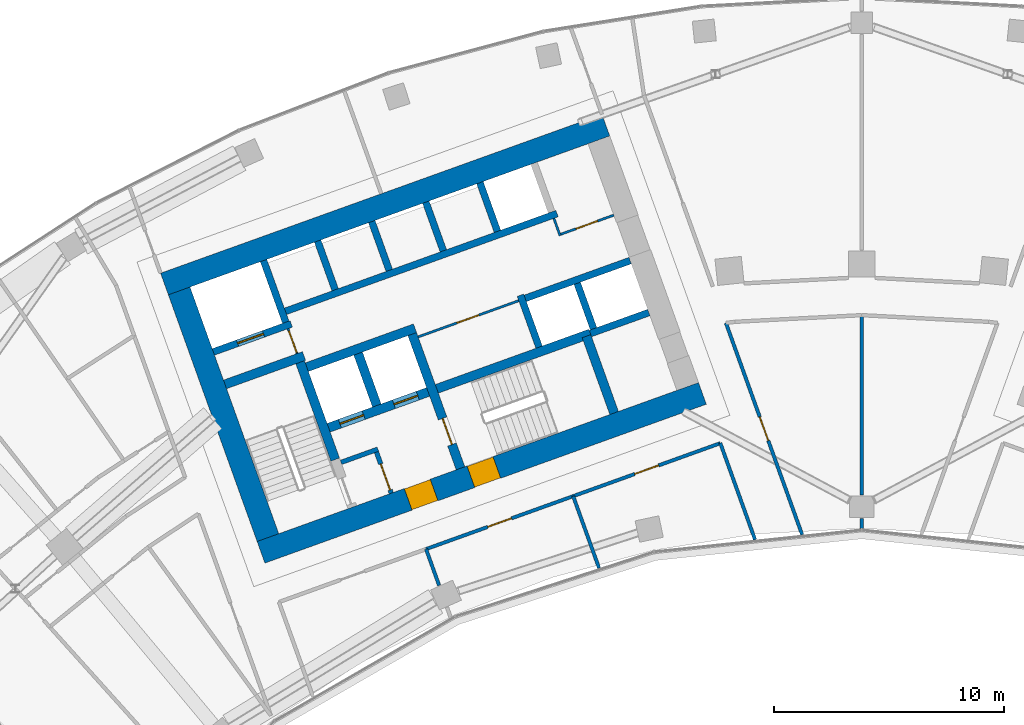
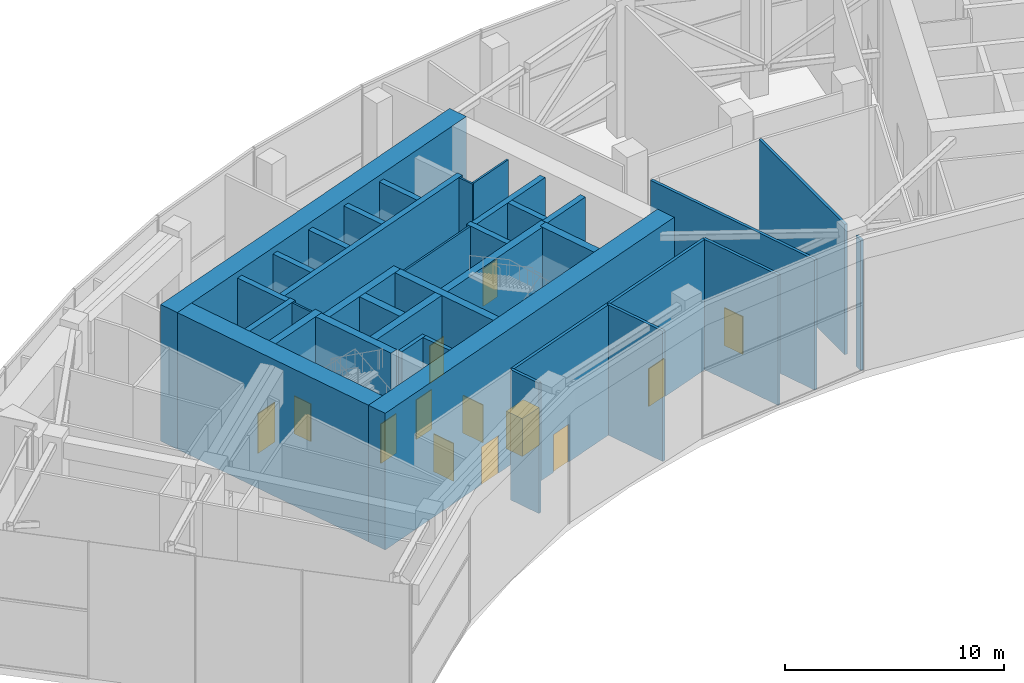
# One storey, part 20 of 26: 35 walls, 13 doors, 13 openings.
"""IFC4 building model written with IfcOpenShell, lengths in metres."""

from ifc_helpers import new_model, si_unit, direction, frame, frame_2d, origin, place, context, subcontext, project, spatial, rectangle, extrude, material, layer, layer_set, type_object, element, fill, save


model = new_model("IFC4")

# Units and contexts
model_context = context("Model", 3, precision=1e-05, world=origin(), true_north=direction((0.0, 1.0)))
body_context = subcontext(model_context, "Body", "Model", "MODEL_VIEW")
ifc_project = project(units=[si_unit("LENGTHUNIT", "METRE"), si_unit("AREAUNIT", "SQUARE_METRE"), si_unit("VOLUMEUNIT", "CUBIC_METRE"), si_unit("PLANEANGLEUNIT", "RADIAN"), si_unit("MASSUNIT", "GRAM", prefix="KILO")], contexts=[model_context])

# Site, building, storey
site_placement = place(None, origin())
site = spatial("IfcSite", under=ifc_project, at=site_placement, CompositionType="ELEMENT")
building_placement = place(site_placement, origin())
building = spatial("IfcBuilding", under=site, at=building_placement, Name="Stone Belt Terrace Tower", CompositionType="ELEMENT")
storey_placement = place(building_placement, frame((0.0, 0.0, 250.39990234375)))
storey = spatial("IfcBuildingStorey", under=building, at=storey_placement, Name="L61", CompositionType="ELEMENT", Elevation=250.39990234375)

# Wall, opening, door
ifc_material_1 = material(Name="Plasterboard partition")
ifc_layer_1 = layer(ifc_material_1, 0.10009765625)
ifc_layer_set_1 = layer_set([ifc_layer_1], Name="Core partition 100")
wall_type_1 = type_object("IfcWallType", Name="Core partition 100", PredefinedType="PARTITIONING", material=ifc_layer_set_1)
wall_1_placement = place(storey_placement, frame((-24.555908203125, 51.10400390625, 0.0), z_axis=(0.0, 0.0, 1.0), x_axis=(-0.338621735342, 0.94092258999, 0.0)))
wall_1 = element("IfcWall", 1, at=wall_1_placement, inside=storey, type_object=wall_type_1, Name="Core A wall", PredefinedType="PARTITIONING", context=body_context, shape_type="SweptSolid", body=[
    extrude(rectangle(XDim=1.14990234375, YDim=0.10009765625, at=frame_2d((0.574951171875, 0.0))), origin(), (0.0, 0.0, 1.0), 7.25),
])
opening_1_placement = place(wall_1_placement, frame((0.050048828125, 0.0, 0.0)))
opening_1 = element("IfcOpeningElement", 2, at=opening_1_placement, cuts=wall_1, Name="Opening L61-C03", PredefinedType="OPENING", context=body_context, shape_type="SweptSolid", body=[
    extrude(rectangle(XDim=1.0, YDim=2.10009765625, at=frame_2d((0.5, 1.050048828125))), frame((0.0, 0.06005859375, 0.0), z_axis=(0.0, -1.0, 0.0), x_axis=(1.0, 0.0, 0.0)), (0.0, 0.0, 1.0), 0.1201171875),
])
ifc_material_2 = material(Name="Timber door leaf", Category="wood")
door_type_1 = type_object("IfcDoorType", Name="Core room door 1000", OperationType="SINGLE_SWING_LEFT", PredefinedType="DOOR", material=ifc_material_2)
door_1_placement = place(opening_1_placement, origin())
door_1 = element("IfcDoor", 3, at=door_1_placement, inside=storey, type_object=door_type_1, Name="Service lift lobby door core A", OperationType="SINGLE_SWING_RIGHT", OverallHeight=2.10009765625, OverallWidth=1.0, PredefinedType="DOOR", context=body_context, shape_type="SweptSolid", body=[
    extrude(rectangle(XDim=1.0, YDim=2.10009765625, at=frame_2d((0.5, 1.050048828125))), frame((0.0, 0.02490234375, 0.0), z_axis=(0.0, -1.0, 0.0), x_axis=(1.0, 0.0, 0.0)), (0.0, 0.0, 1.0), 0.050048828125),
])
fill(opening_1, door_1)

wall_2_placement = place(storey_placement, frame((-19.29052734375, 51.829833984375, 0.0), z_axis=(0.0, 0.0, 1.0), x_axis=(0.940930240745, 0.338600475563, 0.0)))
wall_2 = element("IfcWall", 4, at=wall_2_placement, inside=storey, type_object=wall_type_1, Name="Core A wall", PredefinedType="PARTITIONING", context=body_context, shape_type="SweptSolid", body=[
    extrude(rectangle(XDim=4.64990234375, YDim=0.10009765625, at=frame_2d((2.324951171875, 0.0))), origin(), (0.0, 0.0, 1.0), 7.25),
])
opening_2_placement = place(wall_2_placement, frame((1.800048828125, 0.0, 0.0)))
opening_2 = element("IfcOpeningElement", 5, at=opening_2_placement, cuts=wall_2, Name="Opening L61-C02", PredefinedType="OPENING", context=body_context, shape_type="SweptSolid", body=[
    extrude(rectangle(XDim=1.0, YDim=2.10009765625, at=frame_2d((0.5, 1.050048828125))), frame((0.0, 0.06005859375, 0.0), z_axis=(0.0, -1.0, 0.0), x_axis=(1.0, 0.0, 0.0)), (0.0, 0.0, 1.0), 0.1201171875),
])
door_2_placement = place(opening_2_placement, origin())
door_2 = element("IfcDoor", 6, at=door_2_placement, inside=storey, type_object=door_type_1, Name="Door to Print and copy room core A", OperationType="SINGLE_SWING_RIGHT", OverallHeight=2.10009765625, OverallWidth=1.0, PredefinedType="DOOR", context=body_context, shape_type="SweptSolid", body=[
    extrude(rectangle(XDim=1.0, YDim=2.10009765625, at=frame_2d((0.5, 1.050048828125))), frame((0.0, 0.02490234375, 0.0), z_axis=(0.0, -1.0, 0.0), x_axis=(1.0, 0.0, 0.0)), (0.0, 0.0, 1.0), 0.050048828125),
])
fill(opening_2, door_2)

# Wall
wall_3_placement = place(storey_placement, frame((-13.115966796875, 56.230712890625, 0.0), z_axis=(0.0, 0.0, 1.0), x_axis=(-0.338481684961, 0.940972979923, 0.0)))
element("IfcWall", 7, at=wall_3_placement, inside=storey, type_object=wall_type_1, Name="Core A wall", PredefinedType="PARTITIONING", context=body_context, shape_type="SweptSolid", body=[
    extrude(rectangle(XDim=0.7998046875, YDim=0.10009765625, at=frame_2d((0.39990234375, 0.0))), origin(), (0.0, 0.0, 1.0), 7.25),
])

# Wall, opening, door
wall_4_placement = place(storey_placement, frame((-13.085693359375, 56.294677734375, 0.0), z_axis=(0.0, 0.0, 1.0), x_axis=(0.940922976849, 0.338620660383, 0.0)))
wall_4 = element("IfcWall", 8, at=wall_4_placement, inside=storey, type_object=wall_type_1, Name="Core A wall", PredefinedType="PARTITIONING", context=body_context, shape_type="SweptSolid", body=[
    extrude(rectangle(XDim=2.449951171875, YDim=0.10009765625, at=frame_2d((1.22509765625, 0.0))), origin(), (0.0, 0.0, 1.0), 7.25),
])
opening_3_placement = place(wall_4_placement, frame((0.699951171875, 0.0, 0.0)))
opening_3 = element("IfcOpeningElement", 9, at=opening_3_placement, cuts=wall_4, Name="Opening L61-C01", PredefinedType="OPENING", context=body_context, shape_type="SweptSolid", body=[
    extrude(rectangle(XDim=1.0, YDim=2.10009765625, at=frame_2d((0.5, 1.050048828125))), frame((0.0, 0.06005859375, 0.0), z_axis=(0.0, -1.0, 0.0), x_axis=(1.0, 0.0, 0.0)), (0.0, 0.0, 1.0), 0.1201171875),
])
door_3_placement = place(opening_3_placement, origin())
door_3 = element("IfcDoor", 10, at=door_3_placement, inside=storey, type_object=door_type_1, Name="Door to Communications hub room core A", OperationType="SINGLE_SWING_RIGHT", OverallHeight=2.10009765625, OverallWidth=1.0, PredefinedType="DOOR", context=body_context, shape_type="SweptSolid", body=[
    extrude(rectangle(XDim=1.0, YDim=2.10009765625, at=frame_2d((0.5, 1.050048828125))), frame((0.0, 0.02490234375, 0.0), z_axis=(0.0, -1.0, 0.0), x_axis=(1.0, 0.0, 0.0)), (0.0, 0.0, 1.0), 0.050048828125),
])
fill(opening_3, door_3)

# Wall, openings, doors
ifc_material_3 = material(Name="Concrete B60", Category="concrete")
ifc_layer_2 = layer(ifc_material_3, 1.0)
ifc_layer_set_2 = layer_set([ifc_layer_2], Name="Core wall 1000 B60")
wall_type_2 = type_object("IfcWallType", Name="Core wall 1000 B60", PredefinedType="SHEAR", material=ifc_layer_set_2)
wall_5_placement = place(storey_placement, frame((-26.122314453125, 42.462890625, 0.0), z_axis=(0.0, 0.0, 1.0), x_axis=(0.940921428504, 0.338624962727, 0.0)))
wall_5 = element("IfcWall", 11, at=wall_5_placement, inside=storey, type_object=wall_type_2, Name="Core A wall concave L61", PredefinedType="SHEAR", context=body_context, shape_type="SweptSolid", body=[
    extrude(rectangle(XDim=20.400146484375, YDim=1.0, at=frame_2d((10.2001953125, 0.0))), origin(), (0.0, 0.0, 1.0), 7.60009765625),
])
opening_4_placement = place(wall_5_placement, frame((6.800048828125, 0.0, 0.0)))
opening_4 = element("IfcOpeningElement", 12, at=opening_4_placement, cuts=wall_5, Name="Opening L61-C07", PredefinedType="OPENING", context=body_context, shape_type="SweptSolid", body=[
    extrude(rectangle(XDim=1.199951171875, YDim=2.10009765625, at=frame_2d((0.60009765625, 1.050048828125))), frame((0.0, 0.510009765625, 0.0), z_axis=(0.0, -1.0, 0.0), x_axis=(1.0, 0.0, 0.0)), (0.0, 0.0, 1.0), 1.02001953125),
])
opening_5_placement = place(wall_5_placement, frame((9.699951171875, 0.0, 0.0)))
opening_5 = element("IfcOpeningElement", 13, at=opening_5_placement, cuts=wall_5, Name="Opening L61-C09", PredefinedType="OPENING", context=body_context, shape_type="SweptSolid", body=[
    extrude(rectangle(XDim=1.199951171875, YDim=2.10009765625, at=frame_2d((0.60009765625, 1.050048828125))), frame((0.0, 0.510009765625, 0.0), z_axis=(0.0, -1.0, 0.0), x_axis=(1.0, 0.0, 0.0)), (0.0, 0.0, 1.0), 1.02001953125),
])
ifc_material_4 = material(Name="Steel door leaf", Category="steel")
door_type_2 = type_object("IfcDoorType", Name="Fire-fighting lobby door 1200", OperationType="SINGLE_SWING_LEFT", PredefinedType="DOOR", material=ifc_material_4)
door_4_placement = place(opening_4_placement, origin())
door_4 = element("IfcDoor", 14, at=door_4_placement, inside=storey, type_object=door_type_2, Name="Fire-fighting lobby door core A", OperationType="SINGLE_SWING_RIGHT", OverallHeight=2.10009765625, OverallWidth=1.199951171875, PredefinedType="DOOR", context=body_context, shape_type="SweptSolid", body=[
    extrude(rectangle(XDim=1.199951171875, YDim=2.10009765625, at=frame_2d((0.60009765625, 1.050048828125))), frame((0.0, 0.47998046875, 0.0), z_axis=(0.0, -1.0, 0.0), x_axis=(1.0, 0.0, 0.0)), (0.0, 0.0, 1.0), 0.9599609375),
])
fill(opening_4, door_4)
door_type_3 = type_object("IfcDoorType", Name="Stair door 1200", OperationType="SINGLE_SWING_LEFT", PredefinedType="DOOR", material=ifc_material_4)
door_5_placement = place(opening_5_placement, origin())
door_5 = element("IfcDoor", 15, at=door_5_placement, inside=storey, type_object=door_type_3, Name="Stair 2 exit door core A", OperationType="SINGLE_SWING_LEFT", OverallHeight=2.10009765625, OverallWidth=1.199951171875, PredefinedType="DOOR", context=body_context, shape_type="SweptSolid", body=[
    extrude(rectangle(XDim=1.199951171875, YDim=2.10009765625, at=frame_2d((0.60009765625, 1.050048828125))), frame((0.0, 0.47998046875, 0.0), z_axis=(0.0, -1.0, 0.0), x_axis=(1.0, 0.0, 0.0)), (0.0, 0.0, 1.0), 0.9599609375),
])
fill(opening_5, door_5)

# Walls
wall_6_placement = place(storey_placement, frame((-30.3212890625, 54.13037109375, 0.0), z_axis=(0.0, 0.0, 1.0), x_axis=(0.940921428504, 0.338624962727, 0.0)))
element("IfcWall", 16, at=wall_6_placement, inside=storey, type_object=wall_type_2, Name="Core A wall convex L61", PredefinedType="SHEAR", context=body_context, shape_type="SweptSolid", body=[
    extrude(rectangle(XDim=20.400146484375, YDim=1.0, at=frame_2d((10.2001953125, 0.0))), origin(), (0.0, 0.0, 1.0), 7.60009765625),
])
wall_7_placement = place(storey_placement, frame((-25.821044921875, 43.102783203125, 0.0), z_axis=(0.0, 0.0, 1.0), x_axis=(-0.338625431531, 0.940921259788, 0.0)))
element("IfcWall", 17, at=wall_7_placement, inside=storey, type_object=wall_type_2, Name="Core A wall end_a L61", PredefinedType="SHEAR", context=body_context, shape_type="SweptSolid", body=[
    extrude(rectangle(XDim=11.400146484375, YDim=1.0, at=frame_2d((5.7001953125, 0.0))), origin(), (0.0, 0.0, 1.0), 7.60009765625),
])
ifc_material_5 = material(Name="Concrete B80", Category="concrete")
ifc_layer_3 = layer(ifc_material_5, 0.39990234375)
ifc_layer_set_3 = layer_set([ifc_layer_3], Name="Fire-fighting lift shaft wall 400")
wall_type_3 = type_object("IfcWallType", Name="Fire-fighting lift shaft wall 400", PredefinedType="SHEAR", material=ifc_layer_set_3)
wall_8_placement = place(storey_placement, frame((-24.130615234375, 50.512939453125, 0.0), z_axis=(0.0, 0.0, 1.0), x_axis=(0.94091168377, 0.338652038744, 0.0)))
element("IfcWall", 18, at=wall_8_placement, inside=storey, type_object=wall_type_3, Name="Core A wall", PredefinedType="SHEAR", context=body_context, shape_type="SweptSolid", body=[
    extrude(rectangle(XDim=5.000244140625, YDim=0.39990234375, at=frame_2d((2.5, 0.0))), origin(), (0.0, 0.0, 1.0), 7.25),
])
wall_9_placement = place(storey_placement, frame((-21.0859375, 48.845458984375, 0.0), z_axis=(0.0, 0.0, 1.0), x_axis=(-0.338629416206, 0.940919825745, 0.0)))
element("IfcWall", 19, at=wall_9_placement, inside=storey, type_object=wall_type_3, Name="Core A wall", PredefinedType="SHEAR", context=body_context, shape_type="SweptSolid", body=[
    extrude(rectangle(XDim=2.400146484375, YDim=0.39990234375, at=frame_2d((1.2001953125, 0.0))), origin(), (0.0, 0.0, 1.0), 7.25),
])

# Wall, opening, door
ifc_layer_4 = layer(ifc_material_5, 0.300048828125)
ifc_layer_set_4 = layer_set([ifc_layer_4], Name="Lift shaft wall 300")
wall_type_4 = type_object("IfcWallType", Name="Lift shaft wall 300", PredefinedType="SHEAR", material=ifc_layer_set_4)
wall_10_placement = place(storey_placement, frame((-28.195068359375, 51.17578125, 0.0), z_axis=(0.0, 0.0, 1.0), x_axis=(0.940901243567, 0.338681044427, 0.0)))
wall_10 = element("IfcWall", 20, at=wall_10_placement, inside=storey, type_object=wall_type_4, Name="Core A wall", PredefinedType="SHEAR", context=body_context, shape_type="SweptSolid", body=[
    extrude(rectangle(XDim=3.599853515625, YDim=0.300048828125, at=frame_2d((1.7998046875, 0.0))), origin(), (0.0, 0.0, 1.0), 7.25),
])
opening_6_placement = place(wall_10_placement, frame((1.1201171875, 0.0, 0.0)))
opening_6 = element("IfcOpeningElement", 21, at=opening_6_placement, cuts=wall_10, Name="Opening L61-LD03", PredefinedType="OPENING", context=body_context, shape_type="SweptSolid", body=[
    extrude(rectangle(XDim=1.199951171875, YDim=2.199951171875, at=frame_2d((0.60009765625, 1.10009765625))), frame((0.0, 0.159912109375, 0.0), z_axis=(0.0, -1.0, 0.0), x_axis=(1.0, 0.0, 0.0)), (0.0, 0.0, 1.0), 0.320068359375),
])
ifc_material_6 = material(Name="Stainless steel door leaf", Category="steel")
door_type_4 = type_object("IfcDoorType", Name="Landing door 1200", OperationType="SLIDING_TO_LEFT", PredefinedType="DOOR", material=ifc_material_6)
door_6_placement = place(opening_6_placement, origin())
door_6 = element("IfcDoor", 22, at=door_6_placement, inside=storey, type_object=door_type_4, Name="Landing door SV1 core A", OperationType="SLIDING_TO_LEFT", OverallHeight=2.199951171875, OverallWidth=1.199951171875, PredefinedType="DOOR", context=body_context, shape_type="SweptSolid", body=[
    extrude(rectangle(XDim=1.199951171875, YDim=2.199951171875, at=frame_2d((0.60009765625, 1.10009765625))), frame((0.0, 0.02490234375, 0.0), z_axis=(0.0, -1.0, 0.0), x_axis=(1.0, 0.0, 0.0)), (0.0, 0.0, 1.0), 0.050048828125),
])
fill(opening_6, door_6)

# Walls
wall_11_placement = place(storey_placement, frame((-25.046875, 52.46826171875, 0.0), z_axis=(0.0, 0.0, 1.0), x_axis=(-0.338549588058, 0.940948551423, 0.0)))
element("IfcWall", 23, at=wall_11_placement, inside=storey, type_object=wall_type_4, Name="Core A wall", PredefinedType="SHEAR", context=body_context, shape_type="SweptSolid", body=[
    extrude(rectangle(XDim=2.849853515625, YDim=0.300048828125, at=frame_2d((1.4248046875, 0.0))), origin(), (0.0, 0.0, 1.0), 7.25),
])
wall_12_placement = place(storey_placement, frame((-25.05810546875, 52.9423828125, 0.0), z_axis=(0.0, 0.0, 1.0), x_axis=(0.940921381676, 0.338625092847, 0.0)))
element("IfcWall", 24, at=wall_12_placement, inside=storey, type_object=wall_type_4, Name="Core A wall", PredefinedType="SHEAR", context=body_context, shape_type="SweptSolid", body=[
    extrude(rectangle(XDim=12.550048828125, YDim=0.300048828125, at=frame_2d((6.27490234375, 0.0))), origin(), (0.0, 0.0, 1.0), 7.25),
])
wall_13_placement = place(storey_placement, frame((-22.897705078125, 53.87939453125, 0.0), z_axis=(0.0, 0.0, 1.0), x_axis=(-0.338535034312, 0.940953787677, 0.0)))
element("IfcWall", 25, at=wall_13_placement, inside=storey, type_object=wall_type_4, Name="Core A wall", PredefinedType="SHEAR", context=body_context, shape_type="SweptSolid", body=[
    extrude(rectangle(XDim=2.25, YDim=0.300048828125, at=frame_2d((1.125, 0.0))), origin(), (0.0, 0.0, 1.0), 7.25),
])
wall_14_placement = place(storey_placement, frame((-20.54541015625, 54.72607421875, 0.0), z_axis=(0.0, 0.0, 1.0), x_axis=(-0.338569601369, 0.940941350472, 0.0)))
element("IfcWall", 26, at=wall_14_placement, inside=storey, type_object=wall_type_4, Name="Core A wall", PredefinedType="SHEAR", context=body_context, shape_type="SweptSolid", body=[
    extrude(rectangle(XDim=2.249755859375, YDim=0.300048828125, at=frame_2d((1.125, 0.0))), origin(), (0.0, 0.0, 1.0), 7.25),
])
wall_15_placement = place(storey_placement, frame((-18.193115234375, 55.572509765625, 0.0), z_axis=(0.0, 0.0, 1.0), x_axis=(-0.338535034312, 0.940953787677, 0.0)))
element("IfcWall", 27, at=wall_15_placement, inside=storey, type_object=wall_type_4, Name="Core A wall", PredefinedType="SHEAR", context=body_context, shape_type="SweptSolid", body=[
    extrude(rectangle(XDim=2.25, YDim=0.300048828125, at=frame_2d((1.125, 0.0))), origin(), (0.0, 0.0, 1.0), 7.25),
])
wall_16_placement = place(storey_placement, frame((-14.029052734375, 51.38525390625, 0.0), z_axis=(0.0, 0.0, 1.0), x_axis=(-0.338661829791, 0.940908159728, 0.0)))
element("IfcWall", 28, at=wall_16_placement, inside=storey, type_object=wall_type_4, Name="Core A wall", PredefinedType="SHEAR", context=body_context, shape_type="SweptSolid", body=[
    extrude(rectangle(XDim=2.39990234375, YDim=0.300048828125, at=frame_2d((1.199951171875, 0.0))), origin(), (0.0, 0.0, 1.0), 7.25),
])
wall_17_placement = place(storey_placement, frame((-14.6328125, 53.506103515625, 0.0), z_axis=(0.0, 0.0, 1.0), x_axis=(0.940931684323, 0.338596464007, 0.0)))
element("IfcWall", 29, at=wall_17_placement, inside=storey, type_object=wall_type_4, Name="Core A wall", PredefinedType="SHEAR", context=body_context, shape_type="SweptSolid", body=[
    extrude(rectangle(XDim=4.849609375, YDim=0.300048828125, at=frame_2d((2.4248046875, 0.0))), origin(), (0.0, 0.0, 1.0), 7.25),
])
wall_18_placement = place(storey_placement, frame((-15.8408203125, 56.419189453125, 0.0), z_axis=(0.0, 0.0, 1.0), x_axis=(-0.338569601369, 0.940941350472, 0.0)))
element("IfcWall", 30, at=wall_18_placement, inside=storey, type_object=wall_type_4, Name="Core A wall", PredefinedType="SHEAR", context=body_context, shape_type="SweptSolid", body=[
    extrude(rectangle(XDim=2.249755859375, YDim=0.300048828125, at=frame_2d((1.125, 0.0))), origin(), (0.0, 0.0, 1.0), 7.25),
])
wall_19_placement = place(storey_placement, frame((-11.797119140625, 51.975830078125, 0.0), z_axis=(0.0, 0.0, 1.0), x_axis=(0.940910465161, 0.33865542451, 0.0)))
element("IfcWall", 31, at=wall_19_placement, inside=storey, type_object=wall_type_4, Name="Core A wall", PredefinedType="SHEAR", context=body_context, shape_type="SweptSolid", body=[
    extrude(rectangle(XDim=2.69970703125, YDim=0.300048828125, at=frame_2d((1.349853515625, 0.0))), origin(), (0.0, 0.0, 1.0), 7.25),
])
wall_20_placement = place(storey_placement, frame((-11.659912109375, 52.184814453125, 0.0), z_axis=(0.0, 0.0, 1.0), x_axis=(-0.338670064856, 0.940905195634, 0.0)))
element("IfcWall", 32, at=wall_20_placement, inside=storey, type_object=wall_type_4, Name="Core A wall", PredefinedType="SHEAR", context=body_context, shape_type="SweptSolid", body=[
    extrude(rectangle(XDim=2.099853515625, YDim=0.300048828125, at=frame_2d((1.0498046875, 0.0))), origin(), (0.0, 0.0, 1.0), 7.25),
])
ifc_material_7 = material(Name="Gypsum board partition")
ifc_layer_5 = layer(ifc_material_7, 0.14990234375)
ifc_layer_set_5 = layer_set([ifc_layer_5], Name="PARTITION 150 EI 60")
wall_type_5 = type_object("IfcWallType", Name="PARTITION 150 EI 60", PredefinedType="PARTITIONING", material=ifc_layer_set_5)
wall_21_placement = place(storey_placement, frame((-4.638427734375, 43.012451171875, 0.0), z_axis=(0.0, 0.0, 1.0), x_axis=(-0.338583902482, 0.940936204522, 0.0)))
element("IfcWall", 33, at=wall_21_placement, inside=storey, type_object=wall_type_5, Name="L61/wall/i008", PredefinedType="PARTITIONING", context=body_context, shape_type="SweptSolid", body=[
    extrude(rectangle(XDim=4.464111328125, YDim=0.14990234375, at=frame_2d((2.23193359375, 0.0))), origin(), (0.0, 0.0, 1.0), 7.25),
])

# Wall, opening, door
wall_22_placement = place(storey_placement, frame((-5.906005859375, 52.44091796875, 0.0), z_axis=(0.0, 0.0, 1.0), x_axis=(0.33864618549, -0.940913790447, 0.0)))
wall_22 = element("IfcWall", 34, at=wall_22_placement, inside=storey, type_object=wall_type_5, Name="L61/wall/i010", PredefinedType="PARTITIONING", context=body_context, shape_type="SweptSolid", body=[
    extrude(rectangle(XDim=9.791748046875, YDim=0.14990234375, at=frame_2d((4.89599609375, 0.0))), origin(), (0.0, 0.0, 1.0), 7.25),
])
opening_7_placement = place(wall_22_placement, frame((4.345947265625, 0.0, 0.0)))
opening_7 = element("IfcOpeningElement", 35, at=opening_7_placement, cuts=wall_22, Name="Opening D-T4-25", PredefinedType="OPENING", context=body_context, shape_type="SweptSolid", body=[
    extrude(rectangle(XDim=1.10009765625, YDim=2.10009765625, at=frame_2d((0.550048828125, 1.050048828125))), frame((0.0, 0.0849609375, 0.0), z_axis=(0.0, -1.0, 0.0), x_axis=(1.0, 0.0, 0.0)), (0.0, 0.0, 1.0), 0.169921875),
])
ifc_material_8 = material(Name="Steel fire door set", Category="steel")
door_type_5 = type_object("IfcDoorType", Name="SERVICE ROOM DOOR 1100 X 2100", OperationType="NOTDEFINED", PredefinedType="DOOR", material=ifc_material_8)
door_7_placement = place(opening_7_placement, origin())
door_7 = element("IfcDoor", 36, at=door_7_placement, inside=storey, type_object=door_type_5, Name="L61/door/i25", OperationType="SINGLE_SWING_RIGHT", OverallHeight=2.10009765625, OverallWidth=1.10009765625, PredefinedType="DOOR", context=body_context, shape_type="SweptSolid", body=[
    extrude(rectangle(XDim=1.10009765625, YDim=2.10009765625, at=frame_2d((0.550048828125, 1.050048828125))), frame((0.0, 0.02490234375, 0.0), z_axis=(0.0, -1.0, 0.0), x_axis=(1.0, 0.0, 0.0)), (0.0, 0.0, 1.0), 0.050048828125),
])
fill(opening_7, door_7)

wall_23_placement = place(storey_placement, frame((-12.541015625, 44.906005859375, 0.0), z_axis=(0.0, 0.0, 1.0), x_axis=(-0.940965056221, -0.338503711903, 0.0)))
wall_23 = element("IfcWall", 37, at=wall_23_placement, inside=storey, type_object=wall_type_5, Name="L61/wall/i014", PredefinedType="PARTITIONING", context=body_context, shape_type="SweptSolid", body=[
    extrude(rectangle(XDim=6.81201171875, YDim=0.14990234375, at=frame_2d((3.406005859375, 0.0))), origin(), (0.0, 0.0, 1.0), 7.25),
])
opening_8_placement = place(wall_23_placement, frame((2.856201171875, 0.0, 0.0)))
opening_8 = element("IfcOpeningElement", 38, at=opening_8_placement, cuts=wall_23, Name="Opening D-T4-02", PredefinedType="OPENING", context=body_context, shape_type="SweptSolid", body=[
    extrude(rectangle(XDim=1.10009765625, YDim=2.10009765625, at=frame_2d((0.550048828125, 1.050048828125))), frame((0.0, 0.0849609375, 0.0), z_axis=(0.0, -1.0, 0.0), x_axis=(1.0, 0.0, 0.0)), (0.0, 0.0, 1.0), 0.169921875),
])
door_8_placement = place(opening_8_placement, origin())
door_8 = element("IfcDoor", 39, at=door_8_placement, inside=storey, type_object=door_type_5, Name="L61/door/i02", OperationType="SINGLE_SWING_LEFT", OverallHeight=2.10009765625, OverallWidth=1.10009765625, PredefinedType="DOOR", context=body_context, shape_type="SweptSolid", body=[
    extrude(rectangle(XDim=1.10009765625, YDim=2.10009765625, at=frame_2d((0.550048828125, 1.050048828125))), frame((0.0, 0.02490234375, 0.0), z_axis=(0.0, -1.0, 0.0), x_axis=(1.0, 0.0, 0.0)), (0.0, 0.0, 1.0), 0.050048828125),
])
fill(opening_8, door_8)

wall_24_placement = place(storey_placement, frame((-6.14892578125, 47.20703125, 0.0), z_axis=(0.0, 0.0, 1.0), x_axis=(-0.940912101909, -0.338650876982, 0.0)))
wall_24 = element("IfcWall", 40, at=wall_24_placement, inside=storey, type_object=wall_type_5, Name="L61/wall/i015", PredefinedType="PARTITIONING", context=body_context, shape_type="SweptSolid", body=[
    extrude(rectangle(XDim=6.80615234375, YDim=0.14990234375, at=frame_2d((3.403076171875, 0.0))), origin(), (0.0, 0.0, 1.0), 7.25),
])
opening_9_placement = place(wall_24_placement, frame((2.85302734375, 0.0, 0.0)))
opening_9 = element("IfcOpeningElement", 41, at=opening_9_placement, cuts=wall_24, Name="Opening D-T4-03", PredefinedType="OPENING", context=body_context, shape_type="SweptSolid", body=[
    extrude(rectangle(XDim=1.10009765625, YDim=2.10009765625, at=frame_2d((0.550048828125, 1.050048828125))), frame((0.0, 0.0849609375, 0.0), z_axis=(0.0, -1.0, 0.0), x_axis=(1.0, 0.0, 0.0)), (0.0, 0.0, 1.0), 0.169921875),
])
door_9_placement = place(opening_9_placement, origin())
door_9 = element("IfcDoor", 42, at=door_9_placement, inside=storey, type_object=door_type_5, Name="L61/door/i03", OperationType="SINGLE_SWING_LEFT", OverallHeight=2.10009765625, OverallWidth=1.10009765625, PredefinedType="DOOR", context=body_context, shape_type="SweptSolid", body=[
    extrude(rectangle(XDim=1.10009765625, YDim=2.10009765625, at=frame_2d((0.550048828125, 1.050048828125))), frame((0.0, 0.02490234375, 0.0), z_axis=(0.0, -1.0, 0.0), x_axis=(1.0, 0.0, 0.0)), (0.0, 0.0, 1.0), 0.050048828125),
])
fill(opening_9, door_9)

# Walls
wall_25_placement = place(storey_placement, frame((-18.945068359375, 42.60205078125, 0.0), z_axis=(0.0, 0.0, 1.0), x_axis=(0.338472331555, -0.940976344427, 0.0)))
element("IfcWall", 43, at=wall_25_placement, inside=storey, type_object=wall_type_5, Name="L61/wall/i016", PredefinedType="PARTITIONING", context=body_context, shape_type="SweptSolid", body=[
    extrude(rectangle(XDim=1.67919921875, YDim=0.14990234375, at=frame_2d((0.839599609375, 0.0))), origin(), (0.0, 0.0, 1.0), 7.25),
])
wall_26_placement = place(storey_placement, frame((-12.547119140625, 44.904052734375, 0.0), z_axis=(0.0, 0.0, 1.0), x_axis=(0.338638830313, -0.940916437631, 0.0)))
element("IfcWall", 44, at=wall_26_placement, inside=storey, type_object=wall_type_5, Name="L61/wall/i018", PredefinedType="PARTITIONING", context=body_context, shape_type="SweptSolid", body=[
    extrude(rectangle(XDim=3.323486328125, YDim=0.14990234375, at=frame_2d((1.66162109375, 0.0))), origin(), (0.0, 0.0, 1.0), 7.25),
])
wall_27_placement = place(storey_placement, frame((0.0, 52.77490234375, 0.0), z_axis=(0.0, 0.0, 1.0), x_axis=(0.0, -1.0, 0.0)))
element("IfcWall", 45, at=wall_27_placement, inside=storey, type_object=wall_type_5, Name="L61/wall/i076", PredefinedType="PARTITIONING", context=body_context, shape_type="SweptSolid", body=[
    extrude(rectangle(XDim=7.824951171875, YDim=0.14990234375, at=frame_2d((3.91259765625, 0.0))), origin(), (0.0, 0.0, 1.0), 7.25),
])
wall_28_placement = place(storey_placement, frame((0.0, 43.93994140625, 0.0), z_axis=(0.0, 0.0, 1.0), x_axis=(0.0, -1.0, 0.0)))
element("IfcWall", 46, at=wall_28_placement, inside=storey, type_object=wall_type_5, Name="L61/wall/i077", PredefinedType="PARTITIONING", context=body_context, shape_type="SweptSolid", body=[
    extrude(rectangle(XDim=0.43994140625, YDim=0.14990234375, at=frame_2d((0.219970703125, 0.0))), origin(), (0.0, 0.0, 1.0), 7.25),
])
ifc_material_9 = material(Name="Concrete masonry block", Category="masonry")
ifc_layer_6 = layer(ifc_material_9, 0.199951171875)
ifc_layer_set_6 = layer_set([ifc_layer_6], Name="Rated lobby wall 200")
wall_type_6 = type_object("IfcWallType", Name="Rated lobby wall 200", PredefinedType="PARTITIONING", material=ifc_layer_set_6)
wall_29_placement = place(storey_placement, frame((-22.640625, 46.373046875, 0.0), z_axis=(0.0, 0.0, 1.0), x_axis=(0.940966110313, 0.338500781747, 0.0)))
element("IfcWall", 47, at=wall_29_placement, inside=storey, type_object=wall_type_6, Name="Core A wall", PredefinedType="PARTITIONING", context=body_context, shape_type="SweptSolid", body=[
    extrude(rectangle(XDim=1.699951171875, YDim=0.199951171875, at=frame_2d((0.85009765625, 0.0))), origin(), (0.0, 0.0, 1.0), 7.25),
])

# Wall, opening, door
wall_30_placement = place(storey_placement, frame((-20.4580078125, 45.032958984375, 0.0), z_axis=(0.0, 0.0, 1.0), x_axis=(-0.338573865316, 0.940939816208, 0.0)))
wall_30 = element("IfcWall", 48, at=wall_30_placement, inside=storey, type_object=wall_type_6, Name="Core A wall", PredefinedType="PARTITIONING", context=body_context, shape_type="SweptSolid", body=[
    extrude(rectangle(XDim=1.900146484375, YDim=0.199951171875, at=frame_2d((0.9501953125, 0.0))), origin(), (0.0, 0.0, 1.0), 7.25),
])
opening_10_placement = place(wall_30_placement, frame((0.14990234375, 0.0, 0.0)))
opening_10 = element("IfcOpeningElement", 49, at=opening_10_placement, cuts=wall_30, Name="Opening L61-C06", PredefinedType="OPENING", context=body_context, shape_type="SweptSolid", body=[
    extrude(rectangle(XDim=1.199951171875, YDim=2.10009765625, at=frame_2d((0.60009765625, 1.050048828125))), frame((0.0, 0.10986328125, 0.0), z_axis=(0.0, -1.0, 0.0), x_axis=(1.0, 0.0, 0.0)), (0.0, 0.0, 1.0), 0.219970703125),
])
door_10_placement = place(opening_10_placement, origin())
door_10 = element("IfcDoor", 50, at=door_10_placement, inside=storey, type_object=door_type_3, Name="Stair airlock door core A", OperationType="SINGLE_SWING_RIGHT", OverallHeight=2.10009765625, OverallWidth=1.199951171875, PredefinedType="DOOR", context=body_context, shape_type="SweptSolid", body=[
    extrude(rectangle(XDim=1.199951171875, YDim=2.10009765625, at=frame_2d((0.60009765625, 1.050048828125))), frame((0.0, 0.02490234375, 0.0), z_axis=(0.0, -1.0, 0.0), x_axis=(1.0, 0.0, 0.0)), (0.0, 0.0, 1.0), 0.050048828125),
])
fill(opening_10, door_10)

# Walls
ifc_layer_7 = layer(ifc_material_5, 0.39990234375)
ifc_layer_set_7 = layer_set([ifc_layer_7], Name="Stair enclosure wall 400")
wall_type_7 = type_object("IfcWallType", Name="Stair enclosure wall 400", PredefinedType="SHEAR", material=ifc_layer_set_7)
wall_31_placement = place(storey_placement, frame((-27.687255859375, 49.764404296875, 0.0), z_axis=(0.0, 0.0, 1.0), x_axis=(0.940918954884, 0.338631835981, 0.0)))
element("IfcWall", 51, at=wall_31_placement, inside=storey, type_object=wall_type_7, Name="Core A wall", PredefinedType="SHEAR", context=body_context, shape_type="SweptSolid", body=[
    extrude(rectangle(XDim=3.650146484375, YDim=0.39990234375, at=frame_2d((1.8251953125, 0.0))), origin(), (0.0, 0.0, 1.0), 7.25),
])
wall_32_placement = place(storey_placement, frame((-22.896484375, 46.493408203125, 0.0), z_axis=(0.0, 0.0, 1.0), x_axis=(-0.338648384874, 0.940912998859, 0.0)))
element("IfcWall", 52, at=wall_32_placement, inside=storey, type_object=wall_type_7, Name="Core A wall", PredefinedType="SHEAR", context=body_context, shape_type="SweptSolid", body=[
    extrude(rectangle(XDim=4.5, YDim=0.39990234375, at=frame_2d((2.25, 0.0))), origin(), (0.0, 0.0, 1.0), 7.25),
])

# Wall, openings, doors
wall_33_placement = place(storey_placement, frame((-23.182373046875, 47.87841796875, 0.0), z_axis=(0.0, 0.0, 1.0), x_axis=(0.940921101762, 0.338625870628, 0.0)))
wall_33 = element("IfcWall", 53, at=wall_33_placement, inside=storey, type_object=wall_type_7, Name="Core A wall", PredefinedType="SHEAR", context=body_context, shape_type="SweptSolid", body=[
    extrude(rectangle(XDim=12.10009765625, YDim=0.39990234375, at=frame_2d((6.050048828125, 0.0))), origin(), (0.0, 0.0, 1.0), 7.25),
])
opening_11_placement = place(wall_33_placement, frame((0.52001953125, 0.0, 0.0)))
opening_11 = element("IfcOpeningElement", 54, at=opening_11_placement, cuts=wall_33, Name="Opening L61-LD01", PredefinedType="OPENING", context=body_context, shape_type="SweptSolid", body=[
    extrude(rectangle(XDim=1.10009765625, YDim=2.199951171875, at=frame_2d((0.550048828125, 1.10009765625))), frame((0.0, 0.2099609375, 0.0), z_axis=(0.0, -1.0, 0.0), x_axis=(1.0, 0.0, 0.0)), (0.0, 0.0, 1.0), 0.419921875),
])
opening_12_placement = place(wall_33_placement, frame((3.02001953125, 0.0, 0.0)))
opening_12 = element("IfcOpeningElement", 55, at=opening_12_placement, cuts=wall_33, Name="Opening L61-LD02", PredefinedType="OPENING", context=body_context, shape_type="SweptSolid", body=[
    extrude(rectangle(XDim=1.10009765625, YDim=2.199951171875, at=frame_2d((0.550048828125, 1.10009765625))), frame((0.0, 0.2099609375, 0.0), z_axis=(0.0, -1.0, 0.0), x_axis=(1.0, 0.0, 0.0)), (0.0, 0.0, 1.0), 0.419921875),
])
door_type_6 = type_object("IfcDoorType", Name="Landing door 1100", OperationType="SLIDING_TO_LEFT", PredefinedType="DOOR", material=ifc_material_6)
door_11_placement = place(opening_11_placement, origin())
door_11 = element("IfcDoor", 56, at=door_11_placement, inside=storey, type_object=door_type_6, Name="Landing door FF1 core A", OperationType="SLIDING_TO_LEFT", OverallHeight=2.199951171875, OverallWidth=1.10009765625, PredefinedType="DOOR", context=body_context, shape_type="SweptSolid", body=[
    extrude(rectangle(XDim=1.10009765625, YDim=2.199951171875, at=frame_2d((0.550048828125, 1.10009765625))), frame((0.0, 0.02490234375, 0.0), z_axis=(0.0, -1.0, 0.0), x_axis=(1.0, 0.0, 0.0)), (0.0, 0.0, 1.0), 0.050048828125),
])
fill(opening_11, door_11)
door_12_placement = place(opening_12_placement, origin())
door_12 = element("IfcDoor", 57, at=door_12_placement, inside=storey, type_object=door_type_6, Name="Landing door FF2 core A", OperationType="SLIDING_TO_LEFT", OverallHeight=2.199951171875, OverallWidth=1.10009765625, PredefinedType="DOOR", context=body_context, shape_type="SweptSolid", body=[
    extrude(rectangle(XDim=1.10009765625, YDim=2.199951171875, at=frame_2d((0.550048828125, 1.10009765625))), frame((0.0, 0.02490234375, 0.0), z_axis=(0.0, -1.0, 0.0), x_axis=(1.0, 0.0, 0.0)), (0.0, 0.0, 1.0), 0.050048828125),
])
fill(opening_12, door_12)

# Wall, opening, door
wall_34_placement = place(storey_placement, frame((-17.447021484375, 46.116455078125, 0.0), z_axis=(0.0, 0.0, 1.0), x_axis=(-0.33860791464, 0.940927563707, 0.0)))
wall_34 = element("IfcWall", 58, at=wall_34_placement, inside=storey, type_object=wall_type_7, Name="Core A wall", PredefinedType="SHEAR", context=body_context, shape_type="SweptSolid", body=[
    extrude(rectangle(XDim=6.199951171875, YDim=0.39990234375, at=frame_2d((3.10009765625, 0.0))), origin(), (0.0, 0.0, 1.0), 7.25),
])
opening_13_placement = place(wall_34_placement, frame((1.10009765625, 0.0, 0.0)))
opening_13 = element("IfcOpeningElement", 59, at=opening_13_placement, cuts=wall_34, Name="Opening L61-C08", PredefinedType="OPENING", context=body_context, shape_type="SweptSolid", body=[
    extrude(rectangle(XDim=1.199951171875, YDim=2.10009765625, at=frame_2d((0.60009765625, 1.050048828125))), frame((0.0, 0.2099609375, 0.0), z_axis=(0.0, -1.0, 0.0), x_axis=(1.0, 0.0, 0.0)), (0.0, 0.0, 1.0), 0.419921875),
])
door_13_placement = place(opening_13_placement, origin())
door_13 = element("IfcDoor", 60, at=door_13_placement, inside=storey, type_object=door_type_3, Name="Stair 2 door core A", OperationType="SINGLE_SWING_RIGHT", OverallHeight=2.10009765625, OverallWidth=1.199951171875, PredefinedType="DOOR", context=body_context, shape_type="SweptSolid", body=[
    extrude(rectangle(XDim=1.199951171875, YDim=2.10009765625, at=frame_2d((0.60009765625, 1.050048828125))), frame((0.0, 0.02490234375, 0.0), z_axis=(0.0, -1.0, 0.0), x_axis=(1.0, 0.0, 0.0)), (0.0, 0.0, 1.0), 0.050048828125),
])
fill(opening_13, door_13)

# Wall
wall_35_placement = place(storey_placement, frame((-10.766357421875, 48.520751953125, 0.0), z_axis=(0.0, 0.0, 1.0), x_axis=(-0.338626928157, 0.94092072117, 0.0)))
element("IfcWall", 61, at=wall_35_placement, inside=storey, type_object=wall_type_7, Name="Core A wall", PredefinedType="SHEAR", context=body_context, shape_type="SweptSolid", body=[
    extrude(rectangle(XDim=3.550048828125, YDim=0.39990234375, at=frame_2d((1.77490234375, 0.0))), origin(), (0.0, 0.0, 1.0), 7.25),
])

save(model, "model.ifc")
